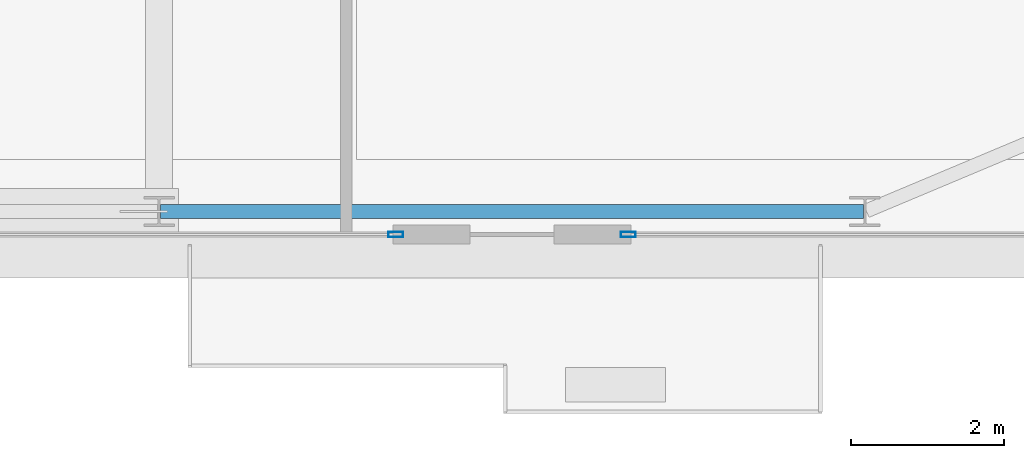
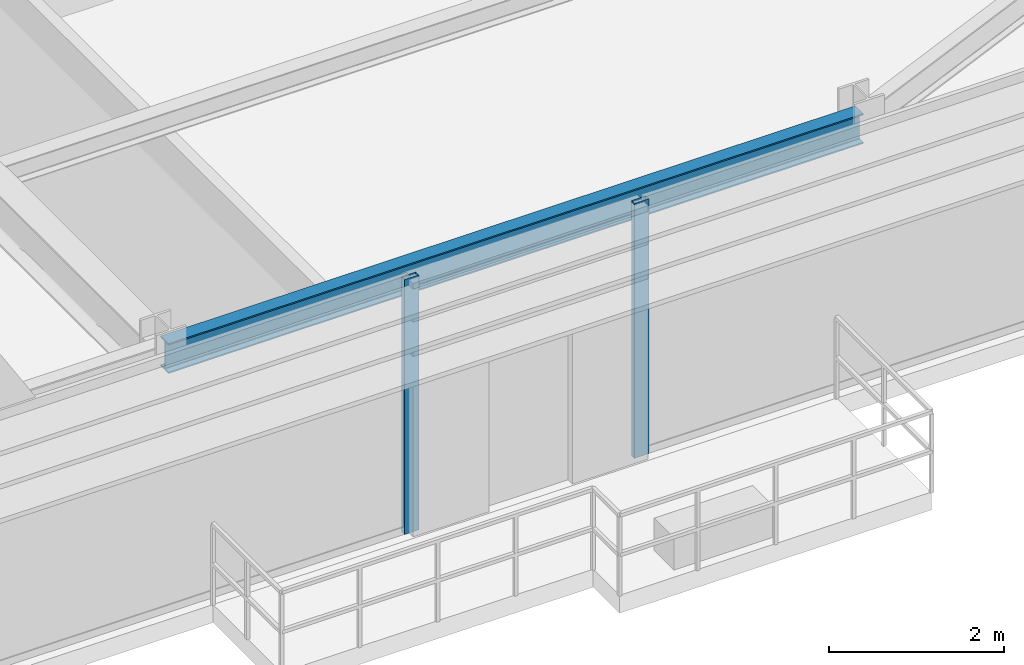
# One storey, part 13 of 37: 2 members, 1 beam, 2 elements without a shape of their own.
"""IFC4 building model written with IfcOpenShell, lengths in metres."""

from ifc_helpers import new_model, si_unit, direction, frame, origin, origin_2d, place, context, subcontext, project, spatial, hollow_rectangle, i_section, extrude, source, transform, mapped, material, layer, layer_set, material_profile, profile_set, type_object, type_shapes, element, aggregate, save


model = new_model("IFC4")

# Units and contexts
model_context = context("Model", 3, precision=1e-05, world=origin(), true_north=direction((0.0, 1.0)))
body_context = subcontext(model_context, "Body", "Model", "MODEL_VIEW")
ifc_project = project(units=[si_unit("LENGTHUNIT", "METRE"), si_unit("AREAUNIT", "SQUARE_METRE"), si_unit("VOLUMEUNIT", "CUBIC_METRE"), si_unit("PLANEANGLEUNIT", "RADIAN"), si_unit("MASSUNIT", "GRAM", prefix="KILO")], contexts=[model_context])

# Site, building, storey
site_placement = place(None, origin())
site = spatial("IfcSite", under=ifc_project, at=site_placement, CompositionType="ELEMENT")
building_placement = place(site_placement, origin())
building = spatial("IfcBuilding", under=site, at=building_placement, Name="Varnel Quay Broadcast Tower", CompositionType="ELEMENT")
storey_placement = place(building_placement, frame((0.0, 0.0, 103.0)))
storey = spatial("IfcBuildingStorey", under=building, at=storey_placement, Name="L24", CompositionType="ELEMENT", Elevation=103.0)

# Beam
ifc_material_1 = material(Name="Structural Steel CSA G40.21 350W", Category="steel")
ifc_material_profile_1 = material_profile(ifc_material_1, i_section(OverallWidth=0.180908203125, OverallDepth=0.4169921875, WebThickness=0.010986328125, FlangeThickness=0.018310546875, FilletRadius=0.011962890625, at=origin_2d()), Name="W410X85")
ifc_profile_set_1 = profile_set([ifc_material_profile_1], Name="Structural Steel CSA G40.21 350W")
beam_type = type_object("IfcBeamType", Name="Beam_W410X85", PredefinedType="SPANDREL", material=ifc_profile_set_1)
shared_shape_1 = source(origin(), body_context, "Body", "SweptSolid", [
    extrude(i_section(OverallWidth=0.180908203125, OverallDepth=0.4169921875, WebThickness=0.010986328125, FlangeThickness=0.018310546875, FilletRadius=0.011962890625, at=origin_2d()), origin(), (0.0, 0.0, 1.0), 9.159912109375),
])
type_shapes(beam_type, [shared_shape_1])
beam_placement = place(storey_placement, frame((43.219970703125, 4.64990234375, 3.341552734375), z_axis=(1.0, 0.0, 0.0), x_axis=(0.0, 1.0, 0.0)))
element("IfcBeam", 1, at=beam_placement, inside=storey, type_object=beam_type, Name="L24 South Spandrel TC-S4-TC-S5", PredefinedType="SPANDREL", context=body_context, shape_type="MappedRepresentation", body=[
    mapped(shared_shape_1, transform((0.0, 0.0, 0.0), x_axis=(1.0, 0.0, 0.0), y_axis=(0.0, 1.0, 0.0), z_axis=(0.0, 0.0, 1.0), scale=1.0)),
])

# Curtain wall, member
ifc_material_2 = material(Name="Anodised Bronze Aluminium 6063-T6", Category="aluminium")
ifc_layer = layer(ifc_material_2, 0.18994140625, Name="Anodised Bronze Aluminium 6063-T6")
ifc_layer_set = layer_set([ifc_layer], Name="Anodised Bronze Aluminium 6063-T6")
curtain_wall_type = type_object("IfcCurtainWallType", Name="CW_LowerTower", PredefinedType="NOTDEFINED", material=ifc_layer_set)
curtain_wall_1_placement = place(storey_placement, origin())
curtain_wall_1 = element("IfcCurtainWall", 2, at=curtain_wall_1_placement, inside=storey, type_object=curtain_wall_type, Name="L24 South Unitised Curtain Wall 2", PredefinedType="NOTDEFINED")
ifc_material_profile_2 = material_profile(ifc_material_2, hollow_rectangle(XDim=0.070068359375, YDim=0.18994140625, WallThickness=0.00390625, at=origin_2d()), Name="ALU70X190X4")
ifc_profile_set_2 = profile_set([ifc_material_profile_2], Name="Anodised Bronze Aluminium 6063-T6")
member_type = type_object("IfcMemberType", Name="Mull_CWS-02", PredefinedType="MULLION", material=ifc_profile_set_2)
shared_shape_2 = source(origin(), body_context, "Body", "SweptSolid", [
    extrude(hollow_rectangle(XDim=0.070068359375, YDim=0.18994140625, WallThickness=0.00390625, at=origin_2d()), origin(), (0.0, 0.0, 1.0), 3.550048828125),
])
type_shapes(member_type, [shared_shape_2])
member_1_placement = place(storey_placement, frame((46.284912109375, 4.35009765625, 0.0), z_axis=(0.0, 0.0, 1.0), x_axis=(0.0, 1.0, 0.0)))
member_1 = element("IfcMember", 3, at=member_1_placement, type_object=member_type, Name="CWS-02 mullion 3", PredefinedType="MULLION", context=body_context, shape_type="MappedRepresentation", body=[
    mapped(shared_shape_2, transform((0.0, 0.0, 0.0), x_axis=(1.0, 0.0, 0.0), y_axis=(0.0, 1.0, 0.0), z_axis=(0.0, 0.0, 1.0), scale=1.0)),
])
aggregate(curtain_wall_1, [member_1])

curtain_wall_2_placement = place(storey_placement, origin())
curtain_wall_2 = element("IfcCurtainWall", 4, at=curtain_wall_2_placement, inside=storey, type_object=curtain_wall_type, Name="L24 South Unitised Curtain Wall 3", PredefinedType="NOTDEFINED")
member_2_placement = place(storey_placement, frame((49.31494140625, 4.35009765625, 0.0), z_axis=(0.0, 0.0, 1.0), x_axis=(0.0, 1.0, 0.0)))
member_2 = element("IfcMember", 5, at=member_2_placement, type_object=member_type, Name="CWS-02 mullion 1", PredefinedType="MULLION", context=body_context, shape_type="MappedRepresentation", body=[
    mapped(shared_shape_2, transform((0.0, 0.0, 0.0), x_axis=(1.0, 0.0, 0.0), y_axis=(0.0, 1.0, 0.0), z_axis=(0.0, 0.0, 1.0), scale=1.0)),
])
aggregate(curtain_wall_2, [member_2])

save(model, "model.ifc")
